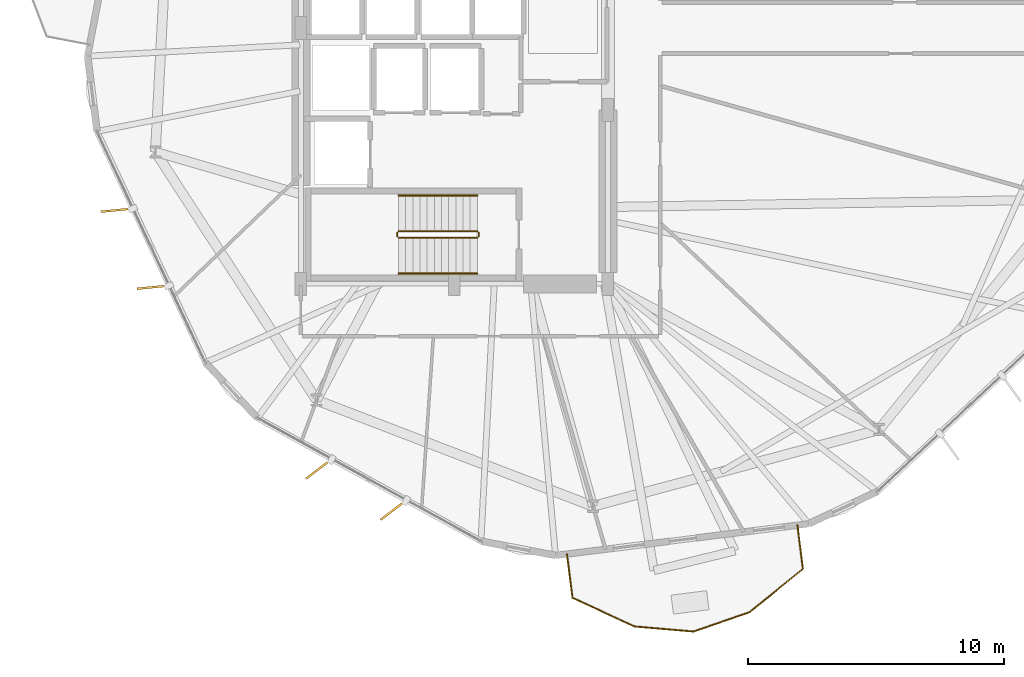
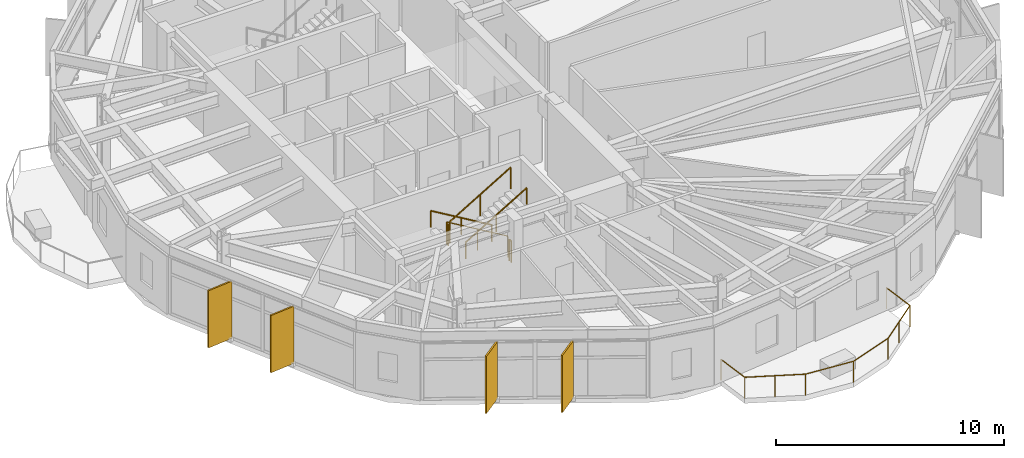
# One storey, part 20 of 22: 7 railings, 4 shading devices.
"""IFC4 building model written with IfcOpenShell, lengths in metres."""

from ifc_helpers import new_model, si_unit, direction, frame, origin, origin_2d, place, context, subcontext, project, spatial, rectangle, circle, extrude, material, layer, layer_set, type_object, element, save


model = new_model("IFC4")

# Units and contexts
model_context = context("Model", 3, precision=1e-05, world=origin(), true_north=direction((0.0, 1.0)))
body_context = subcontext(model_context, "Body", "Model", "MODEL_VIEW")
ifc_project = project(units=[si_unit("LENGTHUNIT", "METRE"), si_unit("AREAUNIT", "SQUARE_METRE"), si_unit("VOLUMEUNIT", "CUBIC_METRE"), si_unit("PLANEANGLEUNIT", "RADIAN"), si_unit("MASSUNIT", "GRAM", prefix="KILO")], contexts=[model_context])

# Site, building, storey
site_placement = place(None, origin())
site = spatial("IfcSite", under=ifc_project, at=site_placement, CompositionType="ELEMENT")
building_placement = place(site_placement, origin())
building = spatial("IfcBuilding", under=site, at=building_placement, Name="Soratama Intermodal Tower", CompositionType="ELEMENT")
storey_placement = place(building_placement, frame((0.0, 0.0, 54.60009765625)))
storey = spatial("IfcBuildingStorey", under=building, at=storey_placement, Name="L12", CompositionType="ELEMENT", Elevation=54.60009765625)

# Railings
ifc_material_1 = material(Name="Laminated glass and stainless steel balustrade", Category="steel")
railing_type_1 = type_object("IfcRailingType", Name="RL-BAL-1150", PredefinedType="BALUSTRADE", material=ifc_material_1)
railing_1_placement = place(storey_placement, frame((52.009521484375, 5.564453125, 0.0)))
element("IfcRailing", 1, at=railing_1_placement, inside=storey, type_object=railing_type_1, Name="L12 Balcony Balustrade 3", PredefinedType="BALUSTRADE", context=body_context, shape_type="SweptSolid", body=[
    extrude(circle(Radius=0.02392578125, at=origin_2d()), frame((0.0, 0.0, 1.1259765625), z_axis=(0.124331692684, -0.992240711821, 0.0), x_axis=(0.992240711821, 0.124331692684, 0.0)), (0.0, 0.0, 1.0), 1.72021484375),
    extrude(circle(Radius=0.02392578125, at=origin_2d()), frame((0.2138671875, -1.706787109375, 1.1259765625), z_axis=(-0.776225668911, -0.630455161708, 0.0), x_axis=(0.630455161708, -0.776225668911, 0.0)), (0.0, 0.0, 1.0), 2.6748046875),
    extrude(circle(Radius=0.02392578125, at=origin_2d()), frame((-1.8623046875, -3.39306640625, 1.1259765625), z_axis=(-0.944391736293, -0.328822518117, 0.0), x_axis=(0.328822518117, -0.944391736293, 0.0)), (0.0, 0.0, 1.0), 2.321044921875),
    extrude(circle(Radius=0.02392578125, at=origin_2d()), frame((-4.05419921875, -4.15625, 1.1259765625), z_axis=(-0.996318722622, 0.085726325901, 0.0), x_axis=(-0.085726325901, -0.996318722622, 0.0)), (0.0, 0.0, 1.0), 2.321044921875),
    extrude(circle(Radius=0.02392578125, at=origin_2d()), frame((-6.36669921875, -3.957275390625, 1.1259765625), z_axis=(-0.907750893277, 0.419509613424, 0.0), x_axis=(-0.419509613424, -0.907750893277, 0.0)), (0.0, 0.0, 1.0), 2.6748046875),
    extrude(circle(Radius=0.02392578125, at=origin_2d()), frame((-8.794677734375, -2.835205078125, 1.1259765625), z_axis=(-0.124349204747, 0.992238517333, 0.0), x_axis=(-0.992238517333, -0.124349204747, 0.0)), (0.0, 0.0, 1.0), 1.719970703125),
    extrude(circle(Radius=0.02099609375, at=origin_2d()), origin(), (0.0, 0.0, 1.0), 1.101806640625),
    extrude(circle(Radius=0.02099609375, at=origin_2d()), frame((0.2138671875, -1.706787109375, 0.0)), (0.0, 0.0, 1.0), 1.101806640625),
    extrude(circle(Radius=0.02099609375, at=origin_2d()), frame((-0.82421875, -2.5498046875, 0.0)), (0.0, 0.0, 1.0), 1.101806640625),
    extrude(circle(Radius=0.02099609375, at=origin_2d()), frame((-1.8623046875, -3.39306640625, 0.0)), (0.0, 0.0, 1.0), 1.101806640625),
    extrude(circle(Radius=0.02099609375, at=origin_2d()), frame((-4.05419921875, -4.15625, 0.0)), (0.0, 0.0, 1.0), 1.101806640625),
    extrude(circle(Radius=0.02099609375, at=origin_2d()), frame((-6.36669921875, -3.957275390625, 0.0)), (0.0, 0.0, 1.0), 1.101806640625),
    extrude(circle(Radius=0.02099609375, at=origin_2d()), frame((-7.58056640625, -3.396240234375, 0.0)), (0.0, 0.0, 1.0), 1.101806640625),
    extrude(circle(Radius=0.02099609375, at=origin_2d()), frame((-8.794677734375, -2.835205078125, 0.0)), (0.0, 0.0, 1.0), 1.101806640625),
    extrude(circle(Radius=0.02099609375, at=origin_2d()), frame((-9.008544921875, -1.128662109375, 0.0)), (0.0, 0.0, 1.0), 1.101806640625),
])
ifc_material_2 = material(Name="Painted steel stair guardrail", Category="steel")
railing_type_2 = type_object("IfcRailingType", Name="RL-STAIR-GUARD", PredefinedType="GUARDRAIL", material=ifc_material_2)
railing_2_placement = place(storey_placement, frame((39.5, 17.050048828125, 0.16650390625)))
element("IfcRailing", 2, at=railing_2_placement, inside=storey, type_object=railing_type_2, Name="L12 ST-1 stair guard 1", PredefinedType="GUARDRAIL", context=body_context, shape_type="SweptSolid", body=[
    extrude(circle(Radius=0.02392578125, at=origin_2d()), frame((0.0, 0.0, 1.1259765625), z_axis=(-0.85927862911, 0.0, 0.511507807912), x_axis=(0.0, -1.0, 0.0)), (0.0, 0.0, 1.0), 3.58447265625),
    extrude(circle(Radius=0.02099609375, at=origin_2d()), origin(), (0.0, 0.0, 1.0), 1.101806640625),
    extrude(circle(Radius=0.02099609375, at=origin_2d()), frame((-1.5400390625, 0.0, 0.916748046875)), (0.0, 0.0, 1.0), 1.101806640625),
    extrude(circle(Radius=0.02099609375, at=origin_2d()), frame((-3.080078125, 0.0, 1.83349609375)), (0.0, 0.0, 1.0), 1.101806640625),
])
railing_3_placement = place(storey_placement, frame((36.3701171875, 17.0, 2.0)))
element("IfcRailing", 3, at=railing_3_placement, inside=storey, type_object=railing_type_2, Name="L12 ST-1 stair guard 2", PredefinedType="GUARDRAIL", context=body_context, shape_type="SweptSolid", body=[
    extrude(circle(Radius=0.02392578125, at=origin_2d()), frame((0.0, 0.0, 1.1259765625), z_axis=(0.0, -1.0, 0.0), x_axis=(1.0, 0.0, 0.0)), (0.0, 0.0, 1.0), 0.14990234375),
    extrude(circle(Radius=0.02099609375, at=origin_2d()), origin(), (0.0, 0.0, 1.0), 1.101806640625),
    extrude(circle(Radius=0.02099609375, at=origin_2d()), frame((0.0, -0.14990234375, 0.0)), (0.0, 0.0, 1.0), 1.101806640625),
])
railing_4_placement = place(storey_placement, frame((36.419921875, 16.800048828125, 2.16650390625)))
element("IfcRailing", 4, at=railing_4_placement, inside=storey, type_object=railing_type_2, Name="L12 ST-1 stair guard 3", PredefinedType="GUARDRAIL", context=body_context, shape_type="SweptSolid", body=[
    extrude(circle(Radius=0.02392578125, at=origin_2d()), frame((0.0, 0.0, 1.1259765625), z_axis=(0.85927862911, 0.0, 0.511507807912), x_axis=(0.0, 1.0, 0.0)), (0.0, 0.0, 1.0), 3.58447265625),
    extrude(circle(Radius=0.02099609375, at=origin_2d()), origin(), (0.0, 0.0, 1.0), 1.101806640625),
    extrude(circle(Radius=0.02099609375, at=origin_2d()), frame((1.5400390625, 0.0, 0.916748046875)), (0.0, 0.0, 1.0), 1.101806640625),
    extrude(circle(Radius=0.02099609375, at=origin_2d()), frame((3.080078125, 0.0, 1.83349609375)), (0.0, 0.0, 1.0), 1.101806640625),
])
railing_5_placement = place(storey_placement, frame((39.550048828125, 17.0, 0.0)))
element("IfcRailing", 5, at=railing_5_placement, inside=storey, type_object=railing_type_2, Name="L12 ST-1 stair guard 4", PredefinedType="GUARDRAIL", context=body_context, shape_type="SweptSolid", body=[
    extrude(circle(Radius=0.02392578125, at=origin_2d()), frame((0.0, 0.0, 1.1259765625), z_axis=(0.0, -1.0, 0.0), x_axis=(1.0, 0.0, 0.0)), (0.0, 0.0, 1.0), 0.14990234375),
    extrude(circle(Radius=0.02099609375, at=origin_2d()), origin(), (0.0, 0.0, 1.0), 1.101806640625),
    extrude(circle(Radius=0.02099609375, at=origin_2d()), frame((0.0, -0.14990234375, 0.0)), (0.0, 0.0, 1.0), 1.101806640625),
])
ifc_material_3 = material(Name="Brushed stainless steel handrail", Category="steel")
railing_type_3 = type_object("IfcRailingType", Name="RL-STAIR-HAND", PredefinedType="HANDRAIL", material=ifc_material_3)
railing_6_placement = place(storey_placement, frame((39.5, 18.449951171875, 0.16650390625)))
element("IfcRailing", 6, at=railing_6_placement, inside=storey, type_object=railing_type_3, Name="L12 ST-1 stair handrail 1", PredefinedType="HANDRAIL", context=body_context, shape_type="SweptSolid", body=[
    extrude(circle(Radius=0.02392578125, at=origin_2d()), frame((0.0, 0.0, 0.8759765625), z_axis=(-0.85927862911, 0.0, 0.511507807912), x_axis=(0.0, -1.0, 0.0)), (0.0, 0.0, 1.0), 3.58447265625),
    extrude(circle(Radius=0.02099609375, at=origin_2d()), origin(), (0.0, 0.0, 1.0), 0.851806640625),
    extrude(circle(Radius=0.02099609375, at=origin_2d()), frame((-1.5400390625, 0.0, 0.916748046875)), (0.0, 0.0, 1.0), 0.851806640625),
    extrude(circle(Radius=0.02099609375, at=origin_2d()), frame((-3.080078125, 0.0, 1.83349609375)), (0.0, 0.0, 1.0), 0.851806640625),
])
railing_7_placement = place(storey_placement, frame((36.419921875, 15.39990234375, 2.16650390625)))
element("IfcRailing", 7, at=railing_7_placement, inside=storey, type_object=railing_type_3, Name="L12 ST-1 stair handrail 2", PredefinedType="HANDRAIL", context=body_context, shape_type="SweptSolid", body=[
    extrude(circle(Radius=0.02392578125, at=origin_2d()), frame((0.0, 0.0, 0.8759765625), z_axis=(0.85927862911, 0.0, 0.511507807912), x_axis=(0.0, 1.0, 0.0)), (0.0, 0.0, 1.0), 3.58447265625),
    extrude(circle(Radius=0.02099609375, at=origin_2d()), origin(), (0.0, 0.0, 1.0), 0.851806640625),
    extrude(circle(Radius=0.02099609375, at=origin_2d()), frame((1.5400390625, 0.0, 0.916748046875)), (0.0, 0.0, 1.0), 0.851806640625),
    extrude(circle(Radius=0.02099609375, at=origin_2d()), frame((3.080078125, 0.0, 1.83349609375)), (0.0, 0.0, 1.0), 0.851806640625),
])

# Shading devices
ifc_material_4 = material(Name="Champagne anodised aluminium solar fin", Category="aluminium")
ifc_layer = layer(ifc_material_4, 0.080078125)
ifc_layer_set = layer_set([ifc_layer], Name="Champagne anodised aluminium solar fin")
shading_device_type = type_object("IfcShadingDeviceType", Name="SH-FIN-1250", PredefinedType="USERDEFINED", material=ifc_layer_set)
for number, where, z_axis, x_axis, name in (
    (8, (25.40478515625, 17.87841796875, 0.019775390625), (0.0, 0.0, 1.0), (-0.995020840207, -0.099667083604, 0.0), "L12 Solar Fin F06-1"),
    (9, (26.81787109375, 14.8671875, 0.019775390625), (0.0, 0.0, 1.0), (-0.995020840207, -0.099667083604, 0.0), "L12 Solar Fin F06-2"),
    (10, (33.30029296875, 7.760498046875, 0.019775390625), (0.0, 0.0, 1.0), (-0.797162615875, -0.603764659327, 0.0), "L12 Solar Fin F07-1"),
    (11, (36.213623046875, 6.15478515625, 0.019775390625), (0.0, 0.0, 1.0), (-0.797162615875, -0.603764659327, 0.0), "L12 Solar Fin F07-2"),
):
    element("IfcShadingDevice", number, at=place(storey_placement, frame(where, z_axis=z_axis, x_axis=x_axis)), inside=storey, type_object=shading_device_type, Name=name, ObjectType="FIN", PredefinedType="USERDEFINED", context=body_context, shape_type="SweptSolid", body=[
        extrude(rectangle(XDim=1.25, YDim=0.080078125, at=origin_2d()), origin(), (0.0, 0.0, 1.0), 3.05908203125),
    ])

save(model, "model.ifc")
